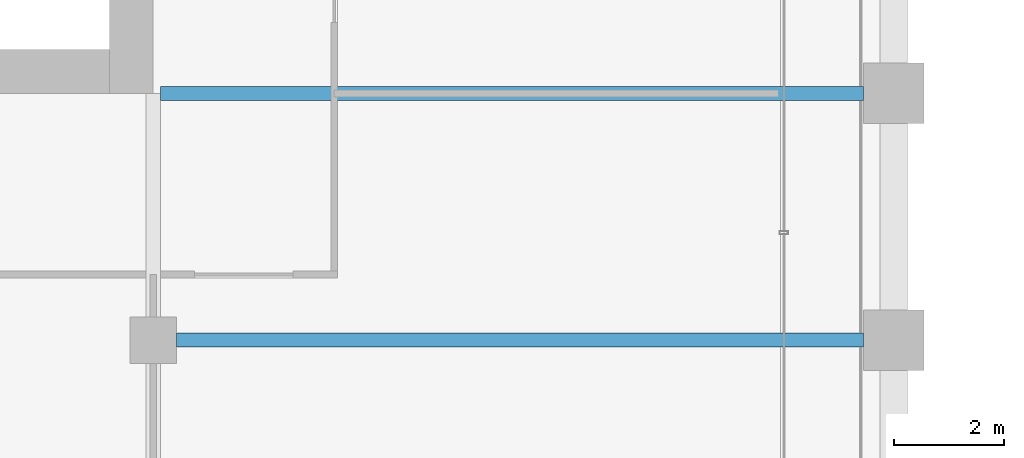
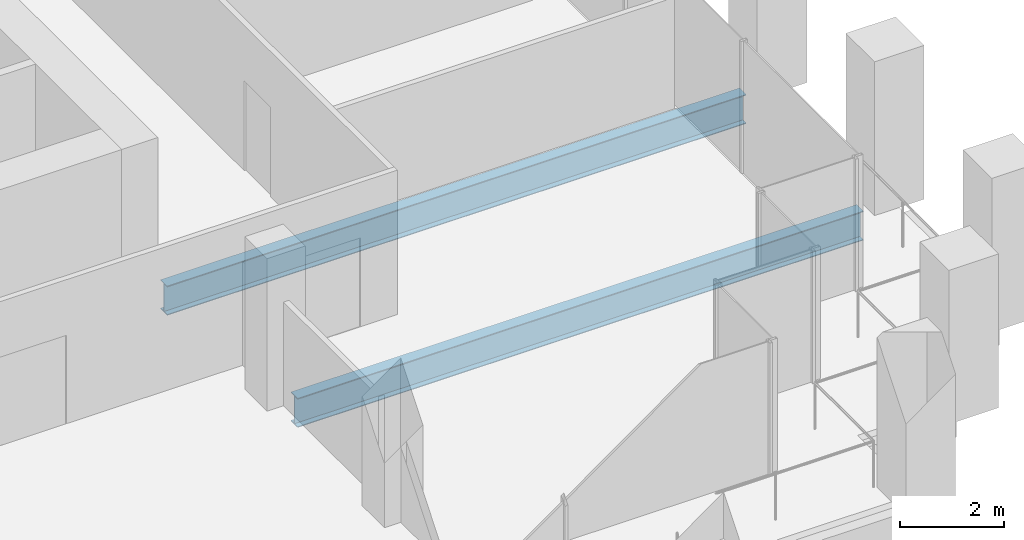
# One storey, part 17 of 56: 2 beams.
"""IFC4 building model written with IfcOpenShell, lengths in metres."""

from ifc_helpers import new_model, si_unit, direction, frame, origin, origin_2d, place, context, subcontext, project, spatial, i_section, extrude, material, material_profile, profile_set, type_object, element, save


model = new_model("IFC4")

# Units and contexts
model_context = context("Model", 3, precision=1e-05, world=origin(), true_north=direction((0.0, 1.0)))
body_context = subcontext(model_context, "Body", "Model", "MODEL_VIEW")
ifc_project = project(units=[si_unit("LENGTHUNIT", "METRE"), si_unit("AREAUNIT", "SQUARE_METRE"), si_unit("VOLUMEUNIT", "CUBIC_METRE"), si_unit("PLANEANGLEUNIT", "RADIAN"), si_unit("MASSUNIT", "GRAM", prefix="KILO")], contexts=[model_context])

# Site, building, storey
site_placement = place(None, origin())
site = spatial("IfcSite", under=ifc_project, at=site_placement, CompositionType="ELEMENT")
building_placement = place(site_placement, origin())
building = spatial("IfcBuilding", under=site, at=building_placement, Name="Altepetl Exchange Towers", CompositionType="ELEMENT")
storey_placement = place(building_placement, frame((0.0, 0.0, 83.39990234375)))
storey = spatial("IfcBuildingStorey", under=building, at=storey_placement, Name="L20", CompositionType="ELEMENT", Elevation=83.39990234375)

# Beams
ifc_material = material(Name="Steel S355", Category="steel")
ifc_material_profile = material_profile(ifc_material, i_section(OverallWidth=0.25390625, OverallDepth=0.68408203125, WebThickness=0.012451171875, FlangeThickness=0.018798828125, at=origin_2d()), Name="W27X94")
ifc_profile_set = profile_set([ifc_material_profile], Name="Steel S355")
beam_type = type_object("IfcBeamType", Name="Floor beam W27X94", PredefinedType="BEAM", material=ifc_profile_set)
beam_1_placement = place(storey_placement, frame((58.925048828125, 36.0, -0.491943359375), z_axis=(1.0, 0.0, 0.0), x_axis=(0.0, 1.0, 0.0)))
element("IfcBeam", 1, at=beam_1_placement, inside=storey, type_object=beam_type, Name="bm:A:L20:007", PredefinedType="BEAM", context=body_context, shape_type="SweptSolid", body=[
    extrude(i_section(OverallWidth=0.25390625, OverallDepth=0.68408203125, WebThickness=0.012451171875, FlangeThickness=0.018798828125, at=origin_2d()), origin(), (0.0, 0.0, 1.0), 12.52490234375),
])
beam_2_placement = place(storey_placement, frame((58.634033203125, 40.5, -0.491943359375), z_axis=(1.0, 0.0, 0.0), x_axis=(0.0, 1.0, 0.0)))
element("IfcBeam", 2, at=beam_2_placement, inside=storey, type_object=beam_type, Name="bm:A:L20:008", PredefinedType="BEAM", context=body_context, shape_type="SweptSolid", body=[
    extrude(i_section(OverallWidth=0.25390625, OverallDepth=0.68408203125, WebThickness=0.012451171875, FlangeThickness=0.018798828125, at=origin_2d()), origin(), (0.0, 0.0, 1.0), 12.81591796875),
])

save(model, "model.ifc")
